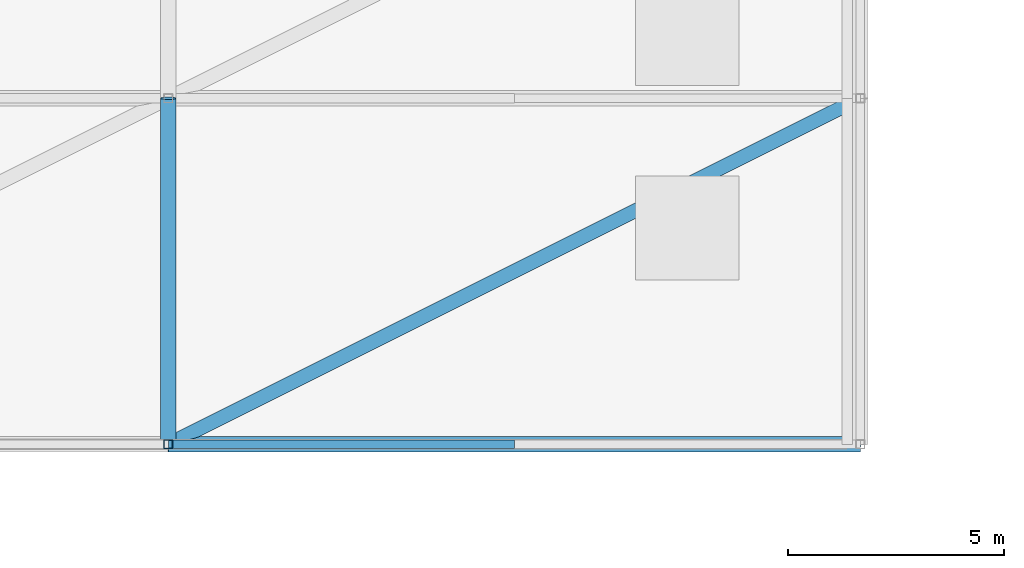
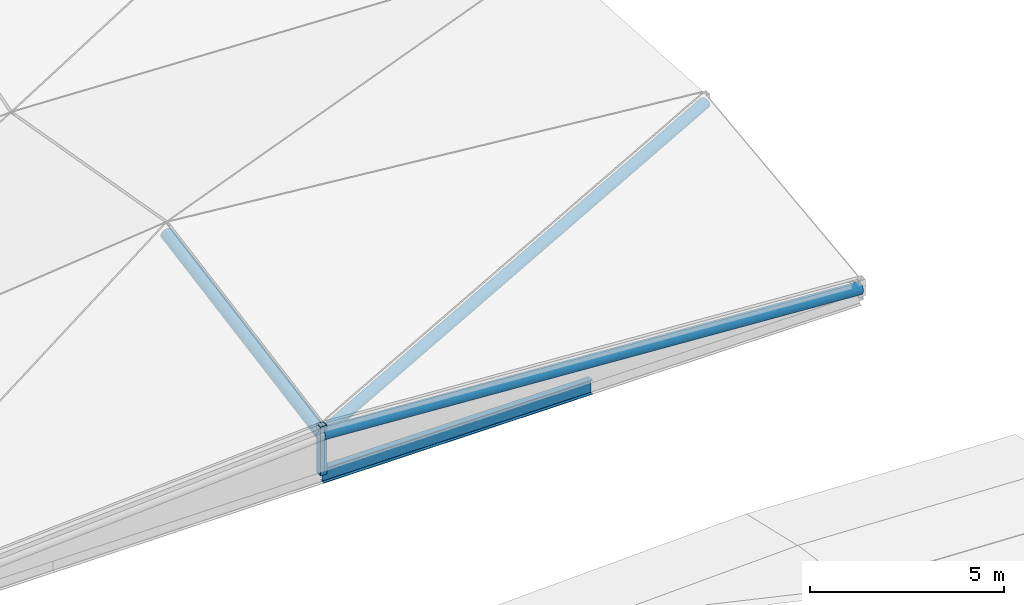
# One storey, part 20 of 44: 3 beams, 2 members.
"""IFC4 building model written with IfcOpenShell, lengths in metres."""

from ifc_helpers import new_model, si_unit, direction, frame, origin, origin_2d, place, context, subcontext, project, spatial, hollow_rectangle, hollow_circle, i_section, extrude, material, material_profile, profile_set, type_object, element, save


model = new_model("IFC4")

# Units and contexts
model_context = context("Model", 3, precision=1e-05, world=origin(), true_north=direction((0.0, 1.0)))
body_context = subcontext(model_context, "Body", "Model", "MODEL_VIEW")
ifc_project = project(units=[si_unit("LENGTHUNIT", "METRE"), si_unit("AREAUNIT", "SQUARE_METRE"), si_unit("VOLUMEUNIT", "CUBIC_METRE"), si_unit("PLANEANGLEUNIT", "RADIAN"), si_unit("MASSUNIT", "GRAM", prefix="KILO")], contexts=[model_context])

# Site, building, storey
site_placement = place(None, origin())
site = spatial("IfcSite", under=ifc_project, at=site_placement, CompositionType="ELEMENT")
building_placement = place(site_placement, origin())
building = spatial("IfcBuilding", under=site, at=building_placement, Name="Tenunan Teduh Sports Hall", CompositionType="ELEMENT")
storey_placement = place(building_placement, frame((0.0, 0.0, 19.199951171875)))
storey = spatial("IfcBuildingStorey", under=building, at=storey_placement, Name="L04", CompositionType="ELEMENT", Elevation=19.199951171875)

# Beams
ifc_material_1 = material(Name="Steel S355", Category="steel")
ifc_material_profile_1 = material_profile(ifc_material_1, hollow_circle(Radius=0.177734375, WallThickness=0.012451171875, at=origin_2d()), Name="CHS 355.6x12.5")
ifc_profile_set_1 = profile_set([ifc_material_profile_1], Name="Steel S355")
beam_type_1 = type_object("IfcBeamType", Name="GSB-CHS356", PredefinedType="BEAM", material=ifc_profile_set_1)
beam_1_placement = place(storey_placement, frame((138.0, 46.0, 0.840087890625), z_axis=(0.0, 0.983969211964, 0.178338413997), x_axis=(-1.0, 0.0, 0.0)))
element("IfcBeam", 1, at=beam_1_placement, inside=storey, type_object=beam_type_1, Name="Gridshell Vault Arch BM-GR-04-L04-0472", PredefinedType="BEAM", context=body_context, shape_type="SweptSolid", body=[
    extrude(hollow_circle(Radius=0.177734375, WallThickness=0.012451171875, at=origin_2d()), origin(), (0.0, 0.0, 1.0), 8.13037109375),
])
beam_2_placement = place(storey_placement, frame((138.0, 46.0, 0.840087890625), z_axis=(0.997974064226, 0.0, -0.063622064824), x_axis=(0.0, 1.0, 0.0)))
element("IfcBeam", 2, at=beam_2_placement, inside=storey, type_object=beam_type_1, Name="Gridshell Vault Arch BM-GR-04-L04-0475", PredefinedType="BEAM", context=body_context, shape_type="SweptSolid", body=[
    extrude(hollow_circle(Radius=0.177734375, WallThickness=0.012451171875, at=origin_2d()), origin(), (0.0, 0.0, 1.0), 16.032470703125),
])

# Members
ifc_material_2 = material(Name="Steel S355", Category="steel")
ifc_material_profile_2 = material_profile(ifc_material_2, hollow_circle(Radius=0.161865234375, WallThickness=0.012451171875, at=origin_2d()), Name="CHS 323.9x12.5")
ifc_profile_set_2 = profile_set([ifc_material_profile_2], Name="Steel S355")
member_type_1 = type_object("IfcMemberType", Name="MEM-CH-CHS324", PredefinedType="CHORD", material=ifc_profile_set_2)
member_1_placement = place(storey_placement, frame((138.0, 46.0, 0.840087890625), z_axis=(0.894423690337, 0.447211845168, -0.002797803597), x_axis=(-0.4472135955, 0.894427191, 0.0)))
element("IfcMember", 3, at=member_1_placement, inside=storey, type_object=member_type_1, Name="MEM-GC-02-L04-0848", PredefinedType="CHORD", context=body_context, shape_type="SweptSolid", body=[
    extrude(hollow_circle(Radius=0.161865234375, WallThickness=0.012451171875, at=origin_2d()), origin(), (0.0, 0.0, 1.0), 17.888671875),
])
ifc_material_3 = material(Name="Steel S355", Category="steel")
ifc_material_profile_3 = material_profile(ifc_material_3, hollow_rectangle(XDim=0.199951171875, YDim=0.199951171875, WallThickness=0.010009765625, at=origin_2d()), Name="SHS 200x200x10.0")
ifc_profile_set_3 = profile_set([ifc_material_profile_3], Name="Steel S355")
member_type_2 = type_object("IfcMemberType", Name="MEM-ST-SHS200", PredefinedType="STRUT", material=ifc_profile_set_3)
member_2_placement = place(storey_placement, frame((138.0, 46.0, -0.39990234375), z_axis=(0.0, 0.0, 1.0), x_axis=(1.0, 0.0, 0.0)))
element("IfcMember", 4, at=member_2_placement, inside=storey, type_object=member_type_2, Name="MEM-VS-02-L04-0833", PredefinedType="STRUT", context=body_context, shape_type="SweptSolid", body=[
    extrude(hollow_rectangle(XDim=0.199951171875, YDim=0.199951171875, WallThickness=0.010009765625, at=origin_2d()), origin(), (0.0, 0.0, 1.0), 1.5400390625),
])

# Beam
ifc_material_4 = material(Name="Steel S355", Category="steel")
ifc_material_profile_4 = material_profile(ifc_material_4, i_section(OverallWidth=0.1904296875, OverallDepth=0.45703125, WebThickness=0.009033203125, FlangeThickness=0.014404296875, FilletRadius=0.01025390625, at=origin_2d()), Name="UKB 457x191x74")
ifc_profile_set_4 = profile_set([ifc_material_profile_4], Name="Steel S355")
beam_type_2 = type_object("IfcBeamType", Name="SBM-UKB457", PredefinedType="BEAM", material=ifc_profile_set_4)
beam_3_placement = place(storey_placement, frame((138.0, 46.0, -0.43994140625), z_axis=(1.0, 0.0, 0.0), x_axis=(0.0, 1.0, 0.0)))
element("IfcBeam", 5, at=beam_3_placement, inside=storey, type_object=beam_type_2, Name="BM-SB-04-L04-0451", PredefinedType="BEAM", context=body_context, shape_type="SweptSolid", body=[
    extrude(i_section(OverallWidth=0.1904296875, OverallDepth=0.45703125, WebThickness=0.009033203125, FlangeThickness=0.014404296875, FilletRadius=0.01025390625, at=origin_2d()), origin(), (0.0, 0.0, 1.0), 8.0),
])

save(model, "model.ifc")
